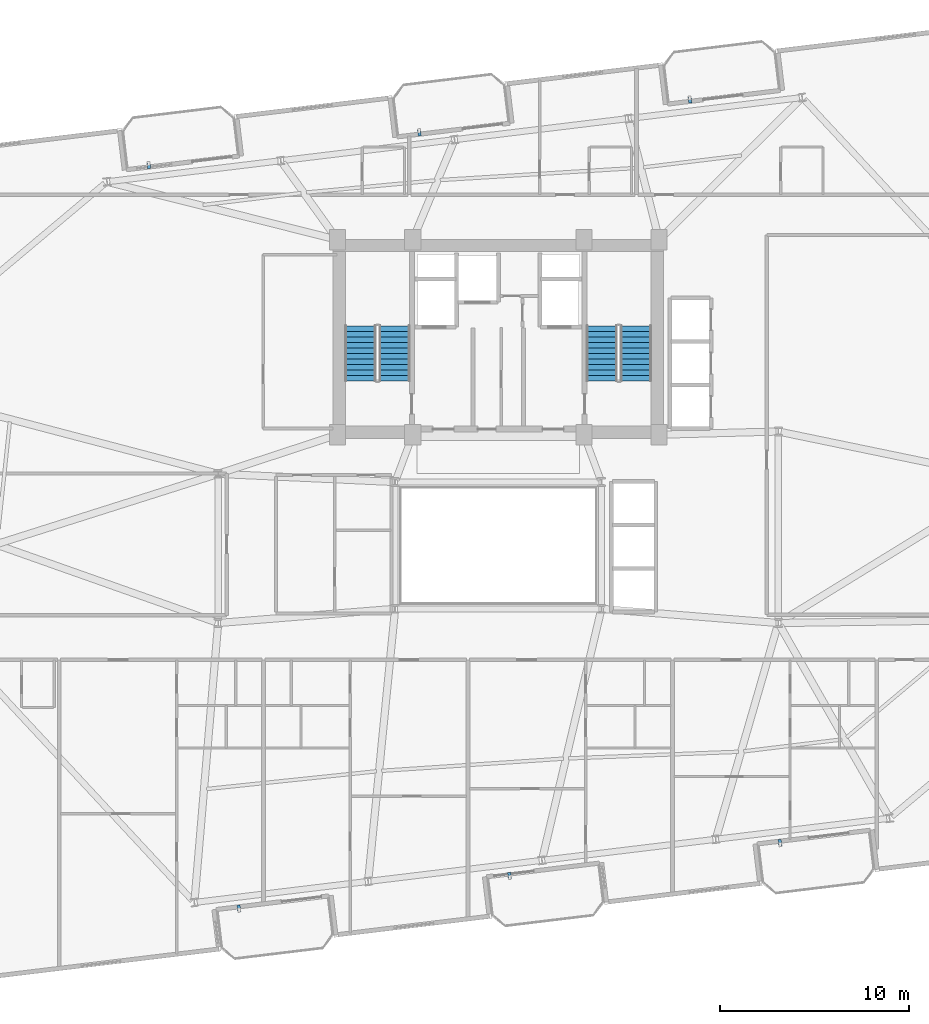
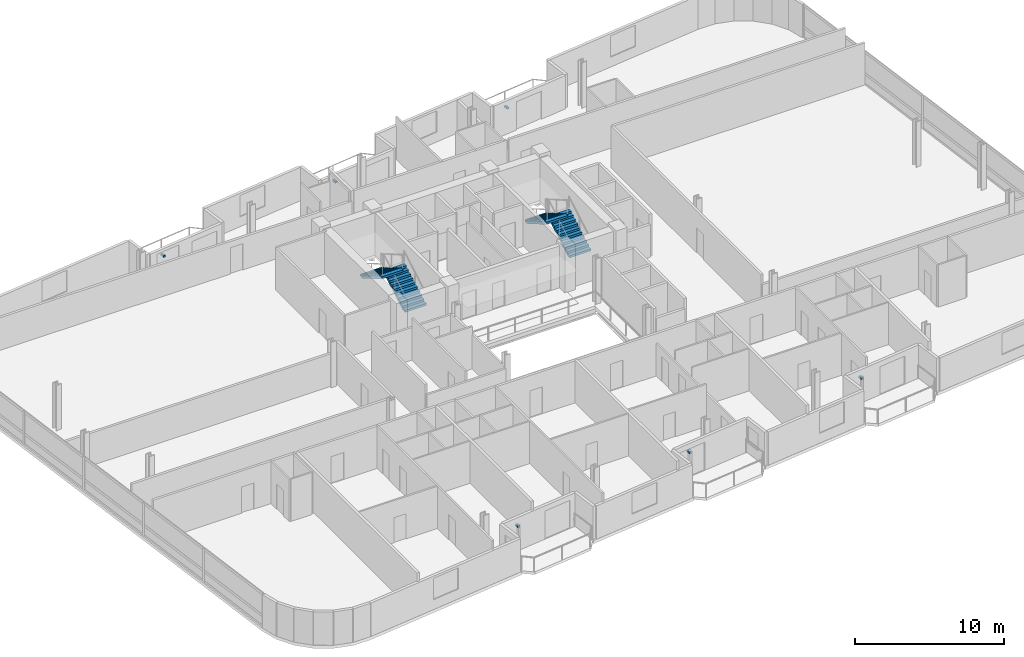
# One storey, part 19 of 23: 6 discrete accessories, 4 stair flights, 2 elements without a shape of their own.
"""IFC4 building model written with IfcOpenShell, lengths in metres."""

from ifc_helpers import new_model, si_unit, direction, frame, origin, origin_2d, place, context, subcontext, project, spatial, polyline, rectangle, outline, extrude, source, transform, mapped, material, type_object, element, aggregate, save


model = new_model("IFC4")

# Units and contexts
model_context = context("Model", 3, precision=1e-05, world=origin(), true_north=direction((0.0, 1.0)))
body_context = subcontext(model_context, "Body", "Model", "MODEL_VIEW")
ifc_project = project(units=[si_unit("LENGTHUNIT", "METRE"), si_unit("AREAUNIT", "SQUARE_METRE"), si_unit("VOLUMEUNIT", "CUBIC_METRE"), si_unit("PLANEANGLEUNIT", "RADIAN"), si_unit("MASSUNIT", "GRAM", prefix="KILO")], contexts=[model_context])

# Site, building, storey
site_placement = place(None, origin())
site = spatial("IfcSite", under=ifc_project, at=site_placement, CompositionType="ELEMENT")
building_placement = place(site_placement, origin())
building = spatial("IfcBuilding", under=site, at=building_placement, Name="Varnelok Gate Tower", CompositionType="ELEMENT")
storey_placement = place(building_placement, frame((0.0, 0.0, 170.89990234375)))
storey = spatial("IfcBuildingStorey", under=building, at=storey_placement, Name="L43", CompositionType="ELEMENT", Elevation=170.89990234375)

# Stair, stair flights
ifc_material_1 = material(Name="Concrete C50/60", Category="concrete")
stair_type = type_object("IfcStairType", Name="STR-CORE-1650", PredefinedType="HALF_TURN_STAIR", material=ifc_material_1)
stair_1_placement = place(storey_placement, origin())
stair_1 = element("IfcStair", 1, at=stair_1_placement, inside=storey, type_object=stair_type, Name="L43 Exit Stair ST-1", PredefinedType="HALF_TURN_STAIR")
stair_flight_type = type_object("IfcStairFlightType", Name="SFL-CORE-1650", PredefinedType="STRAIGHT", material=ifc_material_1)
stair_flight_1_placement = place(storey_placement, frame((33.72509765625, 31.60009765625, 0.0), z_axis=(0.0, 0.0, 1.0), x_axis=(0.0, 1.0, 0.0)))
stair_flight_1 = element("IfcStairFlight", 2, at=stair_flight_1_placement, type_object=stair_flight_type, Name="ST-1 flight 1", NumberOfRisers=11, NumberOfTreads=10, PredefinedType="STRAIGHT", RiserHeight=0.168181818, TreadLength=0.29, context=body_context, shape_type="SweptSolid", body=[
    extrude(outline(polyline([(0.0, 0.0), (0.0, 0.168212890625), (0.2900390625, 0.168212890625), (0.2900390625, 0.33642578125), (0.580078125, 0.33642578125), (0.580078125, 0.504638671875), (0.8701171875, 0.504638671875), (0.8701171875, 0.672607421875), (1.159912109375, 0.672607421875), (1.159912109375, 0.8408203125), (1.449951171875, 0.8408203125), (1.449951171875, 1.009033203125), (1.739990234375, 1.009033203125), (1.739990234375, 1.17724609375), (2.030029296875, 1.17724609375), (2.030029296875, 1.345458984375), (2.320068359375, 1.345458984375), (2.320068359375, 1.513671875), (2.610107421875, 1.513671875), (2.610107421875, 1.681884765625), (2.89990234375, 1.681884765625), (2.89990234375, 1.85009765625), (2.89990234375, 1.508544921875), (0.298828125, 0.0), (0.0, 0.0)])), frame((0.0, 0.824951171875, 0.0), z_axis=(0.0, -1.0, 0.0), x_axis=(1.0, 0.0, 0.0)), (0.0, 0.0, 1.0), 1.64990234375),
])
stair_flight_2_placement = place(storey_placement, frame((31.925048828125, 34.5, 1.85009765625), z_axis=(0.0, 0.0, 1.0), x_axis=(0.0, -1.0, 0.0)))
stair_flight_2 = element("IfcStairFlight", 3, at=stair_flight_2_placement, type_object=stair_flight_type, Name="ST-1 flight 2", NumberOfRisers=11, NumberOfTreads=10, PredefinedType="STRAIGHT", RiserHeight=0.168181818, TreadLength=0.29, context=body_context, shape_type="SweptSolid", body=[
    extrude(outline(polyline([(0.0, 0.0), (0.0, 0.168212890625), (0.2900390625, 0.168212890625), (0.2900390625, 0.33642578125), (0.580078125, 0.33642578125), (0.580078125, 0.504638671875), (0.8701171875, 0.504638671875), (0.8701171875, 0.672607421875), (1.159912109375, 0.672607421875), (1.159912109375, 0.8408203125), (1.449951171875, 0.8408203125), (1.449951171875, 1.009033203125), (1.739990234375, 1.009033203125), (1.739990234375, 1.17724609375), (2.030029296875, 1.17724609375), (2.030029296875, 1.345458984375), (2.320068359375, 1.345458984375), (2.320068359375, 1.513671875), (2.610107421875, 1.513671875), (2.610107421875, 1.681884765625), (2.89990234375, 1.681884765625), (2.89990234375, 1.85009765625), (2.89990234375, 1.508544921875), (0.298828125, 0.0), (0.0, 0.0)])), frame((0.0, 0.824951171875, 0.0), z_axis=(0.0, -1.0, 0.0), x_axis=(1.0, 0.0, 0.0)), (0.0, 0.0, 1.0), 1.64990234375),
])
aggregate(stair_1, [stair_flight_1, stair_flight_2])

stair_2_placement = place(storey_placement, origin())
stair_2 = element("IfcStair", 4, at=stair_2_placement, inside=storey, type_object=stair_type, Name="L43 Exit Stair ST-2", PredefinedType="HALF_TURN_STAIR")
stair_flight_3_placement = place(storey_placement, frame((46.47509765625, 31.60009765625, 0.0), z_axis=(0.0, 0.0, 1.0), x_axis=(0.0, 1.0, 0.0)))
stair_flight_3 = element("IfcStairFlight", 5, at=stair_flight_3_placement, type_object=stair_flight_type, Name="ST-2 flight 1", NumberOfRisers=11, NumberOfTreads=10, PredefinedType="STRAIGHT", RiserHeight=0.168181818, TreadLength=0.29, context=body_context, shape_type="SweptSolid", body=[
    extrude(outline(polyline([(0.0, 0.0), (0.0, 0.168212890625), (0.2900390625, 0.168212890625), (0.2900390625, 0.33642578125), (0.580078125, 0.33642578125), (0.580078125, 0.504638671875), (0.8701171875, 0.504638671875), (0.8701171875, 0.672607421875), (1.159912109375, 0.672607421875), (1.159912109375, 0.8408203125), (1.449951171875, 0.8408203125), (1.449951171875, 1.009033203125), (1.739990234375, 1.009033203125), (1.739990234375, 1.17724609375), (2.030029296875, 1.17724609375), (2.030029296875, 1.345458984375), (2.320068359375, 1.345458984375), (2.320068359375, 1.513671875), (2.610107421875, 1.513671875), (2.610107421875, 1.681884765625), (2.89990234375, 1.681884765625), (2.89990234375, 1.85009765625), (2.89990234375, 1.508544921875), (0.298828125, 0.0), (0.0, 0.0)])), frame((0.0, 0.824951171875, 0.0), z_axis=(0.0, -1.0, 0.0), x_axis=(1.0, 0.0, 0.0)), (0.0, 0.0, 1.0), 1.64990234375),
])
stair_flight_4_placement = place(storey_placement, frame((44.675048828125, 34.5, 1.85009765625), z_axis=(0.0, 0.0, 1.0), x_axis=(0.0, -1.0, 0.0)))
stair_flight_4 = element("IfcStairFlight", 6, at=stair_flight_4_placement, type_object=stair_flight_type, Name="ST-2 flight 2", NumberOfRisers=11, NumberOfTreads=10, PredefinedType="STRAIGHT", RiserHeight=0.168181818, TreadLength=0.29, context=body_context, shape_type="SweptSolid", body=[
    extrude(outline(polyline([(0.0, 0.0), (0.0, 0.168212890625), (0.2900390625, 0.168212890625), (0.2900390625, 0.33642578125), (0.580078125, 0.33642578125), (0.580078125, 0.504638671875), (0.8701171875, 0.504638671875), (0.8701171875, 0.672607421875), (1.159912109375, 0.672607421875), (1.159912109375, 0.8408203125), (1.449951171875, 0.8408203125), (1.449951171875, 1.009033203125), (1.739990234375, 1.009033203125), (1.739990234375, 1.17724609375), (2.030029296875, 1.17724609375), (2.030029296875, 1.345458984375), (2.320068359375, 1.345458984375), (2.320068359375, 1.513671875), (2.610107421875, 1.513671875), (2.610107421875, 1.681884765625), (2.89990234375, 1.681884765625), (2.89990234375, 1.85009765625), (2.89990234375, 1.508544921875), (0.298828125, 0.0), (0.0, 0.0)])), frame((0.0, 0.824951171875, 0.0), z_axis=(0.0, -1.0, 0.0), x_axis=(1.0, 0.0, 0.0)), (0.0, 0.0, 1.0), 1.64990234375),
])
aggregate(stair_2, [stair_flight_3, stair_flight_4])

# Discrete accessories
ifc_material_2 = material(Name="Structural Steel ASTM A500 Grade C", Category="steel")
discrete_accessory_type = type_object("IfcDiscreteAccessoryType", Name="ACC-BAGUETTE-BRK", PredefinedType="BRACKET", material=ifc_material_2)
shared_shape = source(origin(), body_context, "Body", "SweptSolid", [
    extrude(rectangle(XDim=0.159912109375, YDim=0.340087890625, at=origin_2d()), origin(), (0.0, 0.0, 1.0), 0.139892578125),
])
for number, where, z_axis, x_axis, name in (
    (7, (25.4970703125, 3.72412109375, 1.97998046875), (0.0, 0.0, 1.0), (0.992732158755, 0.12034475881, 0.0), "L43 Terracotta Baguette Bracket 1.1"),
    (8, (39.792236328125, 5.45703125, 1.97998046875), (0.0, 0.0, 1.0), (0.992732158755, 0.12034475881, 0.0), "L43 Terracotta Baguette Bracket 2.1"),
    (9, (54.087646484375, 7.18994140625, 1.97998046875), (0.0, 0.0, 1.0), (0.992732158755, 0.12034475881, 0.0), "L43 Terracotta Baguette Bracket 3.1"),
    (10, (20.738525390625, 42.976806640625, 1.97998046875), (0.0, 0.0, 1.0), (0.992732158755, 0.12034475881, 0.0), "L43 Terracotta Baguette Bracket 4.1"),
    (11, (35.033935546875, 44.709716796875, 1.97998046875), (0.0, 0.0, 1.0), (0.992732158755, 0.12034475881, 0.0), "L43 Terracotta Baguette Bracket 5.1"),
    (12, (49.3291015625, 46.442626953125, 1.97998046875), (0.0, 0.0, 1.0), (0.992732158755, 0.12034475881, 0.0), "L43 Terracotta Baguette Bracket 6.1"),
):
    element("IfcDiscreteAccessory", number, at=place(storey_placement, frame(where, z_axis=z_axis, x_axis=x_axis)), inside=storey, type_object=discrete_accessory_type, Name=name, PredefinedType="BRACKET", context=body_context, shape_type="MappedRepresentation", body=[
        mapped(shared_shape, transform((0.0, 0.0, 0.0), scale=1.0)),
    ])

save(model, "model.ifc")
